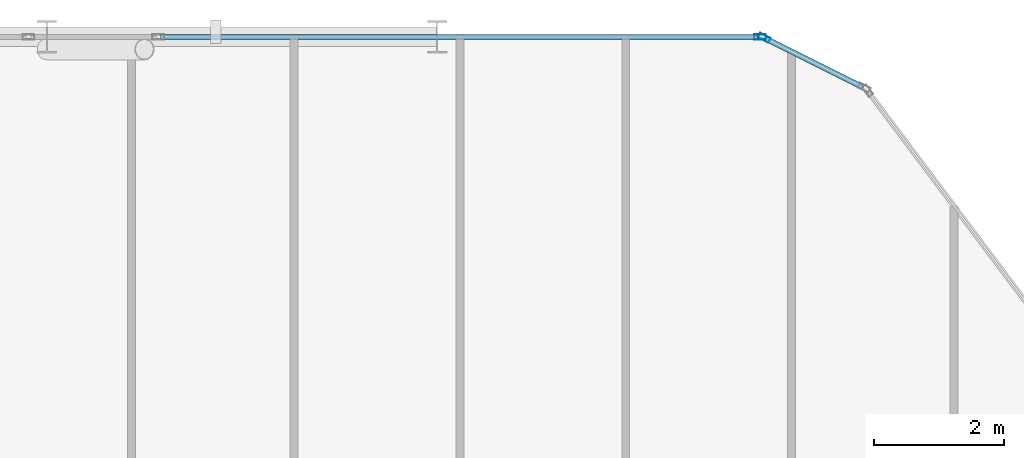
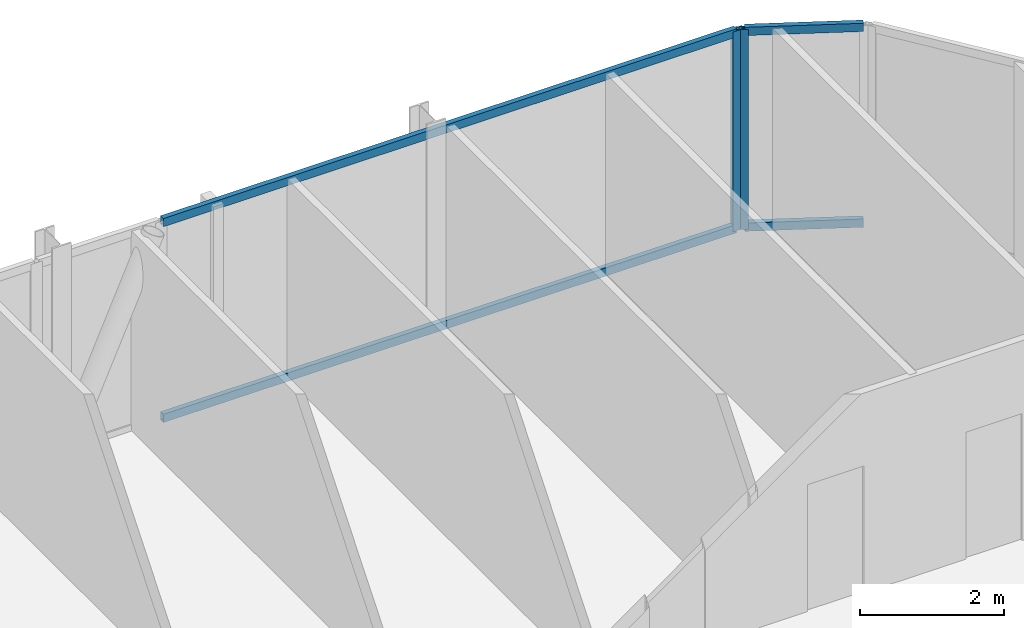
# One storey, part 21 of 31: 6 members, 2 elements without a shape of their own.
"""IFC4 building model written with IfcOpenShell, lengths in metres."""

from ifc_helpers import new_model, si_unit, direction, frame, origin, origin_2d, place, context, subcontext, project, spatial, hollow_rectangle, extrude, material, layer, layer_set, material_profile, profile_set, type_object, element, aggregate, save


model = new_model("IFC4")

# Units and contexts
model_context = context("Model", 3, precision=1e-05, world=origin(), true_north=direction((0.0, 1.0)))
body_context = subcontext(model_context, "Body", "Model", "MODEL_VIEW")
ifc_project = project(units=[si_unit("LENGTHUNIT", "METRE"), si_unit("AREAUNIT", "SQUARE_METRE"), si_unit("VOLUMEUNIT", "CUBIC_METRE"), si_unit("PLANEANGLEUNIT", "RADIAN"), si_unit("MASSUNIT", "GRAM", prefix="KILO")], contexts=[model_context])

# Site, building, storey
site_placement = place(None, origin())
site = spatial("IfcSite", under=ifc_project, at=site_placement, CompositionType="ELEMENT")
building_placement = place(site_placement, origin())
building = spatial("IfcBuilding", under=site, at=building_placement, Name="Keshet Zoharim Tower", CompositionType="ELEMENT")
storey_placement = place(building_placement, frame((0.0, 0.0, 148.300048828125)))
storey = spatial("IfcBuildingStorey", under=building, at=storey_placement, Name="L36", CompositionType="ELEMENT", Elevation=148.300048828125)

# Curtain wall, member
ifc_material = material(Name="Aluminium 6063-T6", Category="aluminium")
ifc_layer = layer(ifc_material, 0.159912109375)
ifc_layer_set = layer_set([ifc_layer], Name="Aluminium 6063-T6")
curtain_wall_type = type_object("IfcCurtainWallType", Name="CW-SYS-03", PredefinedType="NOTDEFINED", material=ifc_layer_set)
curtain_wall_1_placement = place(storey_placement, origin())
curtain_wall_1 = element("IfcCurtainWall", 1, at=curtain_wall_1_placement, inside=storey, type_object=curtain_wall_type, Name="L36 Unitised Curtain Wall 13 Part 5", PredefinedType="NOTDEFINED")
ifc_material_profile_1 = material_profile(ifc_material, hollow_rectangle(XDim=0.080078125, YDim=0.179931640625, WallThickness=0.00439453125, at=origin_2d()), Name="MUL-80x180")
ifc_profile_set_1 = profile_set([ifc_material_profile_1], Name="Aluminium 6063-T6")
member_type_1 = type_object("IfcMemberType", Name="CWM-M18", PredefinedType="MULLION", material=ifc_profile_set_1)
member_1_placement = place(storey_placement, frame((49.965087890625, 53.89990234375, 0.0), z_axis=(0.0, 0.0, 1.0), x_axis=(0.0, 1.0, 0.0)))
member_1 = element("IfcMember", 2, at=member_1_placement, type_object=member_type_1, Name="CW-03 mullion 2", PredefinedType="MULLION", context=body_context, shape_type="SweptSolid", body=[
    extrude(hollow_rectangle(XDim=0.080078125, YDim=0.179931640625, WallThickness=0.00439453125, at=origin_2d()), origin(), (0.0, 0.0, 1.0), 3.385009765625),
])

curtain_wall_2_placement = place(storey_placement, origin())
curtain_wall_2 = element("IfcCurtainWall", 3, at=curtain_wall_2_placement, inside=storey, type_object=curtain_wall_type, Name="L36 Unitised Curtain Wall 14", PredefinedType="NOTDEFINED")
member_2_placement = place(storey_placement, frame((50.03125, 53.88427734375, 0.0), z_axis=(0.0, 0.0, 1.0), x_axis=(0.447213595499, 0.894427191001, 0.0)))
member_2 = element("IfcMember", 4, at=member_2_placement, type_object=member_type_1, Name="CW-03 mullion 1", PredefinedType="MULLION", context=body_context, shape_type="SweptSolid", body=[
    extrude(hollow_rectangle(XDim=0.080078125, YDim=0.179931640625, WallThickness=0.00439453125, at=origin_2d()), origin(), (0.0, 0.0, 1.0), 3.385009765625),
])

# Member
ifc_material_profile_2 = material_profile(ifc_material, hollow_rectangle(XDim=0.080078125, YDim=0.139892578125, WallThickness=0.00390625, at=origin_2d()), Name="TRN-80x140")
ifc_profile_set_2 = profile_set([ifc_material_profile_2], Name="Aluminium 6063-T6")
member_type_2 = type_object("IfcMemberType", Name="CWT-T14", PredefinedType="USERDEFINED", material=ifc_profile_set_2)
member_3_placement = place(storey_placement, frame((40.748046875, 53.89990234375, 0.034912109375), z_axis=(1.0, 0.0, 0.0), x_axis=(0.0, 1.0, 0.0)))
member_3 = element("IfcMember", 5, at=member_3_placement, type_object=member_type_2, Name="CW-03 transom 1.1", ObjectType="TRANSOM", PredefinedType="USERDEFINED", context=body_context, shape_type="SweptSolid", body=[
    extrude(hollow_rectangle(XDim=0.080078125, YDim=0.139892578125, WallThickness=0.00390625, at=origin_2d()), origin(), (0.0, 0.0, 1.0), 9.181884765625),
])

member_4_placement = place(storey_placement, frame((40.748046875, 53.89990234375, 3.349853515625), z_axis=(1.0, 0.0, 0.0), x_axis=(0.0, 1.0, 0.0)))
member_4 = element("IfcMember", 6, at=member_4_placement, type_object=member_type_2, Name="CW-03 transom 1.2", ObjectType="TRANSOM", PredefinedType="USERDEFINED", context=body_context, shape_type="SweptSolid", body=[
    extrude(hollow_rectangle(XDim=0.080078125, YDim=0.139892578125, WallThickness=0.00390625, at=origin_2d()), origin(), (0.0, 0.0, 1.0), 9.181884765625),
])

aggregate(curtain_wall_1, [member_1, member_3, member_4])

member_5_placement = place(storey_placement, frame((50.0625, 53.86865234375, 0.034912109375), z_axis=(0.894456801911, -0.447154368775, 0.0), x_axis=(0.447154368775, 0.894456801911, 0.0)))
member_5 = element("IfcMember", 7, at=member_5_placement, type_object=member_type_2, Name="CW-03 transom 1.1", ObjectType="TRANSOM", PredefinedType="USERDEFINED", context=body_context, shape_type="SweptSolid", body=[
    extrude(hollow_rectangle(XDim=0.080078125, YDim=0.139892578125, WallThickness=0.00390625, at=origin_2d()), origin(), (0.0, 0.0, 1.0), 1.64892578125),
])

member_6_placement = place(storey_placement, frame((50.0625, 53.86865234375, 3.349853515625), z_axis=(0.894456801911, -0.447154368775, 0.0), x_axis=(0.447154368775, 0.894456801911, 0.0)))
member_6 = element("IfcMember", 8, at=member_6_placement, type_object=member_type_2, Name="CW-03 transom 1.2", ObjectType="TRANSOM", PredefinedType="USERDEFINED", context=body_context, shape_type="SweptSolid", body=[
    extrude(hollow_rectangle(XDim=0.080078125, YDim=0.139892578125, WallThickness=0.00390625, at=origin_2d()), origin(), (0.0, 0.0, 1.0), 1.64892578125),
])

aggregate(curtain_wall_2, [member_2, member_5, member_6])

save(model, "model.ifc")
